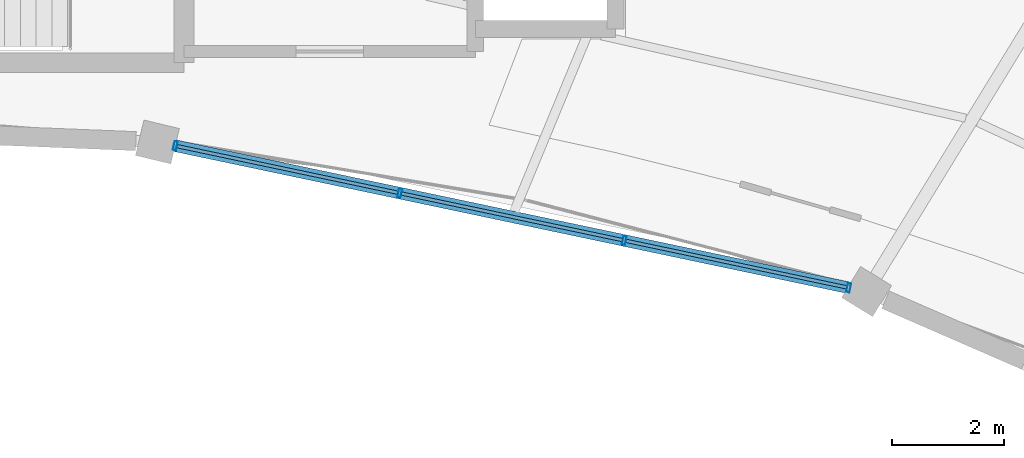
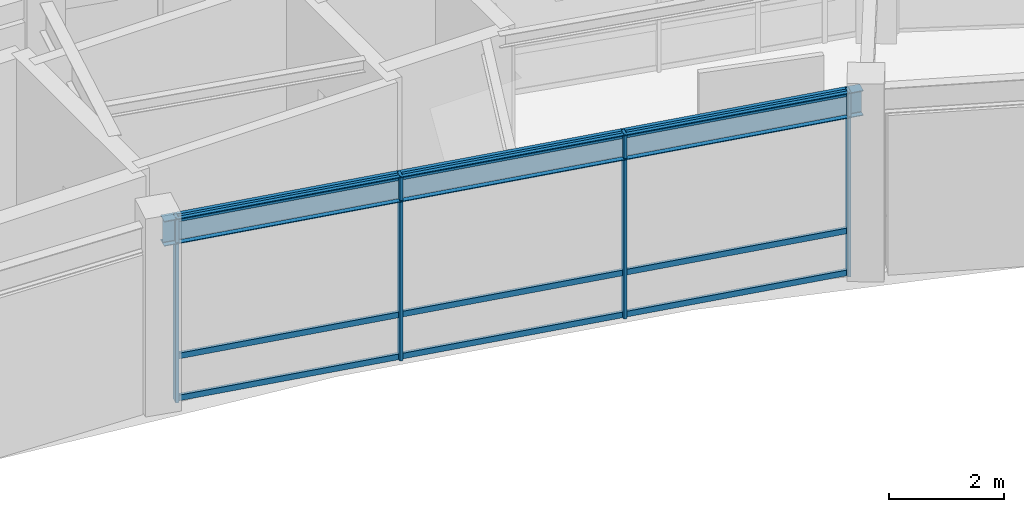
# One storey, part 69 of 138: 13 members, 1 beam, 1 element without a shape of its own.
"""IFC4 building model written with IfcOpenShell, lengths in metres."""

from ifc_helpers import new_model, si_unit, direction, frame, origin, origin_2d, place, context, subcontext, project, spatial, hollow_rectangle, i_section, extrude, material, material_profile, profile_set, type_object, element, aggregate, save


model = new_model("IFC4")

# Units and contexts
model_context = context("Model", 3, precision=1e-05, world=origin(), true_north=direction((0.0, 1.0)))
body_context = subcontext(model_context, "Body", "Model", "MODEL_VIEW")
ifc_project = project(units=[si_unit("LENGTHUNIT", "METRE"), si_unit("AREAUNIT", "SQUARE_METRE"), si_unit("VOLUMEUNIT", "CUBIC_METRE"), si_unit("PLANEANGLEUNIT", "RADIAN"), si_unit("MASSUNIT", "GRAM", prefix="KILO"), si_unit("THERMODYNAMICTEMPERATUREUNIT", "KELVIN"), si_unit("POWERUNIT", "WATT")], contexts=[model_context])

# Site, building, storey
site_placement = place(None, origin())
site = spatial("IfcSite", under=ifc_project, at=site_placement, CompositionType="ELEMENT")
building_placement = place(site_placement, origin())
building = spatial("IfcBuilding", under=site, at=building_placement, Name="Darbajah Civic Hall", CompositionType="ELEMENT")
storey_placement = place(building_placement, frame((0.0, 0.0, 9.60009765625)))
storey = spatial("IfcBuildingStorey", under=building, at=storey_placement, Name="L02", CompositionType="ELEMENT", Elevation=9.60009765625)

# Curtain wall, members
ifc_material_1 = material(Name="Anodised Bronze Aluminium and Low-E Glazing", Category="aluminium")
curtain_wall_type = type_object("IfcCurtainWallType", Name="Unitised Curtain Wall CW-41 12300x3900", PredefinedType="USERDEFINED", material=ifc_material_1)
curtain_wall_placement = place(storey_placement, origin())
curtain_wall = element("IfcCurtainWall", 1, at=curtain_wall_placement, inside=storey, type_object=curtain_wall_type, Name="L02 unitised curtain wall CW-V1I-L02-03", ObjectType="UNITISED CURTAIN WALL", PredefinedType="USERDEFINED")
ifc_material_2 = material(Name="Anodised Bronze Aluminium", Category="aluminium")
ifc_material_profile_1 = material_profile(ifc_material_2, hollow_rectangle(XDim=0.06005859375, YDim=0.159912109375, WallThickness=0.00341796875, at=origin_2d()), Name="ALU MULLION 60x160")
ifc_profile_set_1 = profile_set([ifc_material_profile_1], Name="Anodised Bronze Aluminium")
member_type_1 = type_object("IfcMemberType", Name="ALU MULLION 60x160", PredefinedType="MULLION", material=ifc_profile_set_1)
member_1_placement = place(storey_placement, frame((111.665283203125, 108.88134765625, 0.0), z_axis=(0.0, 0.0, 1.0), x_axis=(-0.978472980779, 0.206374964291, 0.0)))
member_1 = element("IfcMember", 2, at=member_1_placement, type_object=member_type_1, Name="CW-V1I-L02-03 mullion 1", PredefinedType="MULLION", context=body_context, shape_type="SweptSolid", body=[
    extrude(hollow_rectangle(XDim=0.06005859375, YDim=0.159912109375, WallThickness=0.00341796875, at=origin_2d()), origin(), (0.0, 0.0, 1.0), 3.919921875),
])
member_2_placement = place(storey_placement, frame((107.65869140625, 109.726318359375, 0.0), z_axis=(0.0, 0.0, 1.0), x_axis=(-0.978472980779, 0.206374964291, 0.0)))
member_2 = element("IfcMember", 3, at=member_2_placement, type_object=member_type_1, Name="CW-V1I-L02-03 mullion 2", PredefinedType="MULLION", context=body_context, shape_type="SweptSolid", body=[
    extrude(hollow_rectangle(XDim=0.06005859375, YDim=0.159912109375, WallThickness=0.00341796875, at=origin_2d()), origin(), (0.0, 0.0, 1.0), 3.919921875),
])
member_3_placement = place(storey_placement, frame((103.651611328125, 110.5712890625, 0.0), z_axis=(0.0, 0.0, 1.0), x_axis=(-0.978472980779, 0.206374964291, 0.0)))
member_3 = element("IfcMember", 4, at=member_3_placement, type_object=member_type_1, Name="CW-V1I-L02-03 mullion 3", PredefinedType="MULLION", context=body_context, shape_type="SweptSolid", body=[
    extrude(hollow_rectangle(XDim=0.06005859375, YDim=0.159912109375, WallThickness=0.00341796875, at=origin_2d()), origin(), (0.0, 0.0, 1.0), 3.919921875),
])
member_4_placement = place(storey_placement, frame((99.64501953125, 111.416259765625, 0.0), z_axis=(0.0, 0.0, 1.0), x_axis=(-0.978472980779, 0.206374964291, 0.0)))
member_4 = element("IfcMember", 5, at=member_4_placement, type_object=member_type_1, Name="CW-V1I-L02-03 mullion 4", PredefinedType="MULLION", context=body_context, shape_type="SweptSolid", body=[
    extrude(hollow_rectangle(XDim=0.06005859375, YDim=0.159912109375, WallThickness=0.00341796875, at=origin_2d()), origin(), (0.0, 0.0, 1.0), 3.919921875),
])
ifc_material_profile_2 = material_profile(ifc_material_2, hollow_rectangle(XDim=0.06005859375, YDim=0.1201171875, WallThickness=0.003173828125, at=origin_2d()), Name="ALU TRANSOM 60x120")
ifc_profile_set_2 = profile_set([ifc_material_profile_2], Name="Anodised Bronze Aluminium")
member_type_2 = type_object("IfcMemberType", Name="ALU TRANSOM 60x120", PredefinedType="USERDEFINED", material=ifc_profile_set_2)
member_5_placement = place(storey_placement, frame((111.631103515625, 108.888671875, 0.059814453125), z_axis=(-0.9784886003, 0.206300894527, 0.0), x_axis=(-0.206300894527, -0.9784886003, 0.0)))
member_5 = element("IfcMember", 6, at=member_5_placement, type_object=member_type_2, Name="CW-V1I-L02-03 transom 1.1", ObjectType="TRANSOM", PredefinedType="USERDEFINED", context=body_context, shape_type="SweptSolid", body=[
    extrude(hollow_rectangle(XDim=0.06005859375, YDim=0.1201171875, WallThickness=0.003173828125, at=origin_2d()), origin(), (0.0, 0.0, 1.0), 4.02490234375),
])
member_6_placement = place(storey_placement, frame((111.631103515625, 108.888671875, 0.949951171875), z_axis=(-0.9784886003, 0.206300894527, 0.0), x_axis=(-0.206300894527, -0.9784886003, 0.0)))
member_6 = element("IfcMember", 7, at=member_6_placement, type_object=member_type_2, Name="CW-V1I-L02-03 transom 1.2", ObjectType="TRANSOM", PredefinedType="USERDEFINED", context=body_context, shape_type="SweptSolid", body=[
    extrude(hollow_rectangle(XDim=0.06005859375, YDim=0.1201171875, WallThickness=0.003173828125, at=origin_2d()), origin(), (0.0, 0.0, 1.0), 4.02490234375),
])
member_7_placement = place(storey_placement, frame((111.631103515625, 108.888671875, 3.85986328125), z_axis=(-0.9784886003, 0.206300894527, 0.0), x_axis=(-0.206300894527, -0.9784886003, 0.0)))
member_7 = element("IfcMember", 8, at=member_7_placement, type_object=member_type_2, Name="CW-V1I-L02-03 transom 1.3", ObjectType="TRANSOM", PredefinedType="USERDEFINED", context=body_context, shape_type="SweptSolid", body=[
    extrude(hollow_rectangle(XDim=0.06005859375, YDim=0.1201171875, WallThickness=0.003173828125, at=origin_2d()), origin(), (0.0, 0.0, 1.0), 4.02490234375),
])
member_8_placement = place(storey_placement, frame((107.624267578125, 109.733642578125, 0.059814453125), z_axis=(-0.978476353939, 0.206358970684, 0.0), x_axis=(-0.206358970684, -0.978476353939, 0.0)))
member_8 = element("IfcMember", 9, at=member_8_placement, type_object=member_type_2, Name="CW-V1I-L02-03 transom 2.1", ObjectType="TRANSOM", PredefinedType="USERDEFINED", context=body_context, shape_type="SweptSolid", body=[
    extrude(hollow_rectangle(XDim=0.06005859375, YDim=0.1201171875, WallThickness=0.003173828125, at=origin_2d()), origin(), (0.0, 0.0, 1.0), 4.02490234375),
])
member_9_placement = place(storey_placement, frame((107.624267578125, 109.733642578125, 0.949951171875), z_axis=(-0.978476353939, 0.206358970684, 0.0), x_axis=(-0.206358970684, -0.978476353939, 0.0)))
member_9 = element("IfcMember", 10, at=member_9_placement, type_object=member_type_2, Name="CW-V1I-L02-03 transom 2.2", ObjectType="TRANSOM", PredefinedType="USERDEFINED", context=body_context, shape_type="SweptSolid", body=[
    extrude(hollow_rectangle(XDim=0.06005859375, YDim=0.1201171875, WallThickness=0.003173828125, at=origin_2d()), origin(), (0.0, 0.0, 1.0), 4.02490234375),
])
member_10_placement = place(storey_placement, frame((107.624267578125, 109.733642578125, 3.85986328125), z_axis=(-0.978476353939, 0.206358970684, 0.0), x_axis=(-0.206358970684, -0.978476353939, 0.0)))
member_10 = element("IfcMember", 11, at=member_10_placement, type_object=member_type_2, Name="CW-V1I-L02-03 transom 2.3", ObjectType="TRANSOM", PredefinedType="USERDEFINED", context=body_context, shape_type="SweptSolid", body=[
    extrude(hollow_rectangle(XDim=0.06005859375, YDim=0.1201171875, WallThickness=0.003173828125, at=origin_2d()), origin(), (0.0, 0.0, 1.0), 4.02490234375),
])
member_11_placement = place(storey_placement, frame((103.617431640625, 110.57861328125, 0.059814453125), z_axis=(-0.978476353939, 0.206358970684, 0.0), x_axis=(-0.206358970684, -0.978476353939, 0.0)))
member_11 = element("IfcMember", 12, at=member_11_placement, type_object=member_type_2, Name="CW-V1I-L02-03 transom 3.1", ObjectType="TRANSOM", PredefinedType="USERDEFINED", context=body_context, shape_type="SweptSolid", body=[
    extrude(hollow_rectangle(XDim=0.06005859375, YDim=0.1201171875, WallThickness=0.003173828125, at=origin_2d()), origin(), (0.0, 0.0, 1.0), 4.02490234375),
])
member_12_placement = place(storey_placement, frame((103.617431640625, 110.57861328125, 0.949951171875), z_axis=(-0.978476353939, 0.206358970684, 0.0), x_axis=(-0.206358970684, -0.978476353939, 0.0)))
member_12 = element("IfcMember", 13, at=member_12_placement, type_object=member_type_2, Name="CW-V1I-L02-03 transom 3.2", ObjectType="TRANSOM", PredefinedType="USERDEFINED", context=body_context, shape_type="SweptSolid", body=[
    extrude(hollow_rectangle(XDim=0.06005859375, YDim=0.1201171875, WallThickness=0.003173828125, at=origin_2d()), origin(), (0.0, 0.0, 1.0), 4.02490234375),
])
member_13_placement = place(storey_placement, frame((103.617431640625, 110.57861328125, 3.85986328125), z_axis=(-0.978476353939, 0.206358970684, 0.0), x_axis=(-0.206358970684, -0.978476353939, 0.0)))
member_13 = element("IfcMember", 14, at=member_13_placement, type_object=member_type_2, Name="CW-V1I-L02-03 transom 3.3", ObjectType="TRANSOM", PredefinedType="USERDEFINED", context=body_context, shape_type="SweptSolid", body=[
    extrude(hollow_rectangle(XDim=0.06005859375, YDim=0.1201171875, WallThickness=0.003173828125, at=origin_2d()), origin(), (0.0, 0.0, 1.0), 4.02490234375),
])
aggregate(curtain_wall, [member_1, member_2, member_3, member_4, member_5, member_6, member_7, member_8, member_9, member_10, member_11, member_12, member_13])

# Beam
ifc_material_3 = material(Name="Steel S355JR", Category="steel")
ifc_material_profile_3 = material_profile(ifc_material_3, i_section(OverallWidth=0.209228515625, OverallDepth=0.533203125, WebThickness=0.010009765625, FlangeThickness=0.015625, FilletRadius=0.0126953125, at=origin_2d()), Name="UB 533x210x92")
ifc_profile_set_3 = profile_set([ifc_material_profile_3], Name="Steel S355JR")
beam_type = type_object("IfcBeamType", Name="UB 533x210x92", PredefinedType="BEAM", material=ifc_profile_set_3)
beam_placement = place(storey_placement, frame((111.906982421875, 108.830322265625, 3.6533203125), z_axis=(-0.978476951565, 0.206356136949, 0.0), x_axis=(-0.206356136949, -0.978476951565, 0.0)))
element("IfcBeam", 15, at=beam_placement, inside=storey, type_object=beam_type, Name="L02 beam SB-533", PredefinedType="BEAM", context=body_context, shape_type="SweptSolid", body=[
    extrude(i_section(OverallWidth=0.209228515625, OverallDepth=0.533203125, WebThickness=0.010009765625, FlangeThickness=0.015625, FilletRadius=0.0126953125, at=origin_2d()), origin(), (0.0, 0.0, 1.0), 12.77880859375),
])

save(model, "model.ifc")
